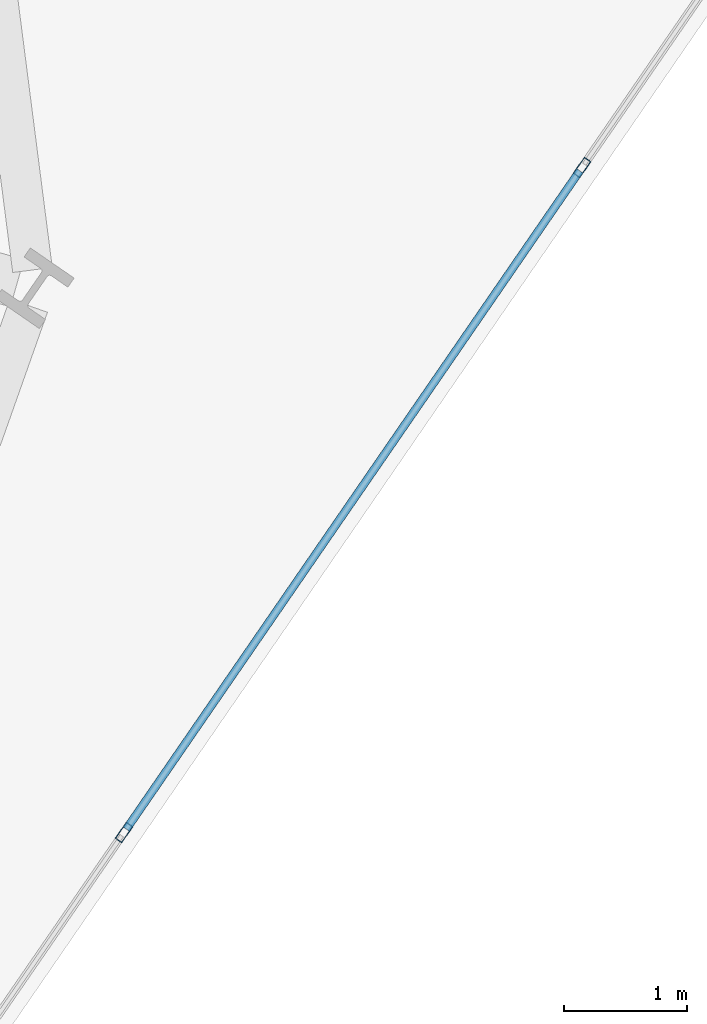
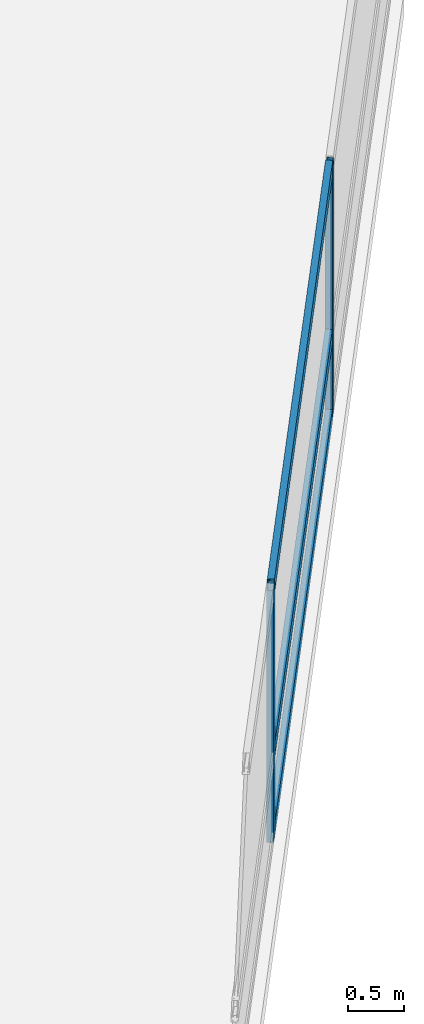
# One storey, part 9 of 25: 5 members, 1 element without a shape of its own.
"""IFC4 building model written with IfcOpenShell, lengths in metres."""

import ifcopenshell
import ifcopenshell.guid

model = None  # the IFC model being written
_history = None  # IfcOwnerHistory: only IFC2X3 demands one
_inside = {}  # id of a spatial element -> (the spatial element, [elements in it])
_under = {}  # id of a project, library or spatial element -> (it, [spatial elements below it])
_declared = {}  # id of a project -> (the project, [libraries it declares])
_typed = {}  # id of a type object -> (the type object, [elements of that type])
_made_of = {}  # id of a material, layer set ... -> (it, [elements and type objects made of it])


def new_model(schema):
    """Start an empty IFC model of exactly this schema.

    Asked for "IFC4X3", IfcOpenShell would pick the latest addendum, in which some entities
    have other attributes; the version numbers below select the first issue.
    IFC2X3 requires an IfcOwnerHistory on every rooted entity: one is made here for all.
    """
    global model, _history
    if schema == "IFC4X3":
        model = ifcopenshell.file(schema_version=(4, 3, 0, 0))
    else:
        model = ifcopenshell.file(schema=schema)
    _inside.clear()
    _under.clear()
    _declared.clear()
    _typed.clear()
    _made_of.clear()
    _history = None
    if model.schema == "IFC2X3":
        org = make("IfcOrganization", Name="unknown")
        user = make(
            "IfcPersonAndOrganization",
            ThePerson=make("IfcPerson", FamilyName="unknown"),
            TheOrganization=org,
        )
        app = make(
            "IfcApplication",
            ApplicationDeveloper=org,
            Version="unknown",
            ApplicationFullName="unknown",
            ApplicationIdentifier="unknown",
        )
        _history = make(
            "IfcOwnerHistory",
            OwningUser=user,
            OwningApplication=app,
            ChangeAction="ADDED",
            CreationDate=0,
        )
    return model


def make(cls, **values):
    """One entity of the class cls with the attributes given. An attribute that is None is left unset."""
    return model.create_entity(
        cls, **{name: value for name, value in values.items() if value is not None}
    )


def rooted(cls, **values):
    """An entity with a GlobalId (a new one), such as an element, a storey or a relation."""
    return make(cls, GlobalId=ifcopenshell.guid.new(), OwnerHistory=_history, **values)


def si_unit(unit_type, name, prefix=None):
    """IfcSIUnit, for example si_unit("LENGTHUNIT", "METRE", prefix="MILLI")."""
    return make("IfcSIUnit", UnitType=unit_type, Prefix=prefix, Name=name)


def assignment(units):
    """IfcUnitAssignment: the units of a project."""
    return None if units is None else make("IfcUnitAssignment", Units=units)


def point(xyz):
    """IfcCartesianPoint."""
    return None if xyz is None else make("IfcCartesianPoint", Coordinates=xyz)


def direction(xyz):
    """IfcDirection."""
    return None if xyz is None else make("IfcDirection", DirectionRatios=xyz)


def frame(location, z_axis=None, x_axis=None):
    """IfcAxis2Placement3D, a coordinate frame: its origin and axes. An axis left out is left unset."""
    return make(
        "IfcAxis2Placement3D",
        Location=point(location),
        Axis=direction(z_axis),
        RefDirection=direction(x_axis),
    )


def frame_2d(location, x_axis=None):
    """IfcAxis2Placement2D, a coordinate frame in the plane: its origin and x axis."""
    return make(
        "IfcAxis2Placement2D", Location=point(location), RefDirection=direction(x_axis)
    )


def origin():
    """The frame at (0, 0, 0) with its axes left unset."""
    return frame((0.0, 0.0, 0.0))


def origin_2d():
    """The frame at (0, 0) in the plane with its x axis left unset."""
    return frame_2d((0.0, 0.0))


def place(relative_to, where):
    """IfcLocalPlacement: puts the frame where relative to a parent placement (None: the world)."""
    return make(
        "IfcLocalPlacement", PlacementRelTo=relative_to, RelativePlacement=where
    )


def context(
    kind, dimensions, precision=None, world=None, true_north=None, identifier=None
):
    """IfcGeometricRepresentationContext, for example the 3D "Model" context."""
    return make(
        "IfcGeometricRepresentationContext",
        ContextIdentifier=identifier,
        ContextType=kind,
        CoordinateSpaceDimension=dimensions,
        Precision=precision,
        WorldCoordinateSystem=world,
        TrueNorth=true_north,
    )


def subcontext(parent, identifier, kind, view, scale=None):
    """IfcGeometricRepresentationSubContext, for example "Body" below "Model"."""
    return make(
        "IfcGeometricRepresentationSubContext",
        ContextIdentifier=identifier,
        ContextType=kind,
        ParentContext=parent,
        TargetScale=scale,
        TargetView=view,
    )


def project(units=None, contexts=None):
    """IfcProject with its units and contexts."""
    return rooted(
        "IfcProject",
        Name="project",
        RepresentationContexts=contexts,
        UnitsInContext=assignment(units),
    )


def spatial(cls, under=None, at=None, **own):
    """A site, building, storey or space (cls), placed at a placement, below another one or the project."""
    s = rooted(cls, ObjectPlacement=at, **own)
    if under is not None:
        _under.setdefault(under.id(), (under, []))[1].append(s)
    return s


def profile(cls, at=None, kind="AREA", **sizes):
    """A parametric profile (cls). Its sizes go by their IFC names, for example OverallWidth=200.0."""
    return make(cls, ProfileType=kind, Position=at, **sizes)


def hollow_rectangle(**sizes):
    """IfcRectangleHollowProfileDef."""
    return profile("IfcRectangleHollowProfileDef", **sizes)


def extrude(swept, where, along, depth):
    """IfcExtrudedAreaSolid: the profile swept, set in the frame where, extruded along a direction by depth."""
    return make(
        "IfcExtrudedAreaSolid",
        SweptArea=swept,
        Position=where,
        ExtrudedDirection=direction(along),
        Depth=depth,
    )


def shape(context_of_items, identifier, shape_type, items):
    """IfcShapeRepresentation: the items that make up one representation, for example the "Body"."""
    return make(
        "IfcShapeRepresentation",
        ContextOfItems=context_of_items,
        RepresentationIdentifier=identifier,
        RepresentationType=shape_type,
        Items=items,
    )


def material(Name=None, Category=None):
    """IfcMaterial."""
    return make("IfcMaterial", Name=Name, Category=Category)


def layer(
    of_material, thickness, ventilated=None, Name=None, Category=None, Priority=None
):
    """IfcMaterialLayer: one layer of a wall or slab, of a material (None: an air gap)."""
    return make(
        "IfcMaterialLayer",
        Material=of_material,
        LayerThickness=thickness,
        IsVentilated=ventilated,
        Name=Name,
        Category=Category,
        Priority=Priority,
    )


def layer_set(layers, Name=None):
    """IfcMaterialLayerSet."""
    return make("IfcMaterialLayerSet", MaterialLayers=layers, LayerSetName=Name)


def material_profile(
    of_material, cross_section, Name=None, Category=None, Priority=None
):
    """IfcMaterialProfile: a cross section and its material."""
    return make(
        "IfcMaterialProfile",
        Name=Name,
        Material=of_material,
        Profile=cross_section,
        Priority=Priority,
        Category=Category,
    )


def profile_set(profiles, Name=None, composite=None):
    """IfcMaterialProfileSet."""
    return make(
        "IfcMaterialProfileSet",
        Name=Name,
        MaterialProfiles=profiles,
        CompositeProfile=composite,
    )


def made_of(thing, what):
    """Note that an element or type object is made of a material, layer set ...; save() writes the relation."""
    if what is not None:
        _made_of.setdefault(what.id(), (what, []))[1].append(thing)
    return thing


def type_object(cls, material=None, **own):
    """A type object (cls), such as IfcWallType, which elements share."""
    return made_of(rooted(cls, **own), material)


def element(
    cls,
    number,
    at=None,
    inside=None,
    cuts=None,
    type_object=None,
    material=None,
    context=None,
    identifier="Body",
    shape_type=None,
    held_by="IfcProductDefinitionShape",
    body=None,
    shapes=None,
    **own,
):
    """One element of the class cls, such as IfcWall. Its Tag is "e" and its number.

    at: its placement. inside: the storey or other place that contains it. cuts: it is an
    opening in that element (IfcRelVoidsElement). A single representation is given by context,
    identifier, shape_type and body (its items); several are given by shapes. held_by: the class
    of the entity that holds the representations. save() writes the other relations.
    """
    e = rooted(cls, Tag="e%d" % number, ObjectPlacement=at, **own)
    if body is not None:
        shapes = [shape(context, identifier, shape_type, body)]
    if shapes is not None:
        e.Representation = make(held_by, Representations=shapes)
    if inside is not None:
        _inside.setdefault(inside.id(), (inside, []))[1].append(e)
    if cuts is not None:
        rooted(
            "IfcRelVoidsElement", RelatingBuildingElement=cuts, RelatedOpeningElement=e
        )
    if type_object is not None:
        _typed.setdefault(type_object.id(), (type_object, []))[1].append(e)
    return made_of(e, material)


def aggregate(whole, parts):
    """IfcRelAggregates: a whole, such as a stair, and the parts it consists of."""
    return rooted("IfcRelAggregates", RelatingObject=whole, RelatedObjects=parts)


def save(model, path):
    """Write the relations noted so far, then the file.

    IfcRelAggregates (storeys below a building ...), IfcRelContainedInSpatialStructure (elements
    in a storey), IfcRelDefinesByType, IfcRelAssociatesMaterial and IfcRelDeclares: one each for
    every whole, place, type object, material and project.
    """
    for whole, parts in _under.values():
        aggregate(whole, parts)
    for where, things in _inside.values():
        rooted(
            "IfcRelContainedInSpatialStructure",
            RelatedElements=things,
            RelatingStructure=where,
        )
    for kind, things in _typed.values():
        rooted("IfcRelDefinesByType", RelatedObjects=things, RelatingType=kind)
    for what, things in _made_of.values():
        rooted("IfcRelAssociatesMaterial", RelatedObjects=things, RelatingMaterial=what)
    for by, libraries in _declared.values():
        rooted("IfcRelDeclares", RelatingContext=by, RelatedDefinitions=libraries)
    model.write(path)


model = new_model("IFC4")

# Units and contexts
model_context = context("Model", 3, precision=1e-05, world=origin(), true_north=direction((0.0, 1.0)))
body_context = subcontext(model_context, "Body", "Model", "MODEL_VIEW")
ifc_project = project(units=[si_unit("LENGTHUNIT", "METRE"), si_unit("AREAUNIT", "SQUARE_METRE"), si_unit("VOLUMEUNIT", "CUBIC_METRE"), si_unit("PLANEANGLEUNIT", "RADIAN"), si_unit("MASSUNIT", "GRAM", prefix="KILO")], contexts=[model_context])

# Site, building, storey
site_placement = place(None, origin())
site = spatial("IfcSite", under=ifc_project, at=site_placement, CompositionType="ELEMENT")
building_placement = place(site_placement, origin())
building = spatial("IfcBuilding", under=site, at=building_placement, Name="Varnelok Gate Tower", CompositionType="ELEMENT")
storey_placement = place(building_placement, frame((0.0, 0.0, 56.60009765625)))
storey = spatial("IfcBuildingStorey", under=building, at=storey_placement, Name="L13", CompositionType="ELEMENT", Elevation=56.60009765625)

# Curtain wall, members
ifc_material = material(Name="Anodized Aluminum Alloy 6063-T6", Category="aluminium")
ifc_layer = layer(ifc_material, 0.179931640625)
ifc_layer_set = layer_set([ifc_layer], Name="Anodized Aluminum Alloy 6063-T6")
curtain_wall_type = type_object("IfcCurtainWallType", Name="CW3-HOTEL-VISION", PredefinedType="USERDEFINED", material=ifc_layer_set)
curtain_wall_placement = place(storey_placement, origin())
curtain_wall = element("IfcCurtainWall", 1, at=curtain_wall_placement, inside=storey, type_object=curtain_wall_type, Name="L13 East End Vision Curtain Wall", ObjectType="UNITISED CURTAIN WALL", PredefinedType="USERDEFINED")
ifc_material_profile_1 = material_profile(ifc_material, hollow_rectangle(XDim=0.06494140625, YDim=0.159912109375, WallThickness=0.00390625, at=origin_2d()), Name="ALU160X65X4")
ifc_profile_set_1 = profile_set([ifc_material_profile_1], Name="Anodized Aluminum Alloy 6063-T6")
member_type_1 = type_object("IfcMemberType", Name="CW-MULL-160", PredefinedType="MULLION", material=ifc_profile_set_1)
member_1_placement = place(storey_placement, frame((78.8173828125, 13.958251953125, 0.0), z_axis=(0.0, 0.0, 1.0), x_axis=(0.823532685111, -0.567268822124, 0.0)))
member_1 = element("IfcMember", 2, at=member_1_placement, type_object=member_type_1, Name="CW3 mullion 2", PredefinedType="MULLION", context=body_context, shape_type="SweptSolid", body=[
    extrude(hollow_rectangle(XDim=0.06494140625, YDim=0.159912109375, WallThickness=0.00390625, at=origin_2d()), origin(), (0.0, 0.0, 1.0), 2.72998046875),
])
member_2_placement = place(storey_placement, frame((75.09228515625, 8.55029296875, 0.0), z_axis=(0.0, 0.0, 1.0), x_axis=(0.823532685111, -0.567268822124, 0.0)))
member_2 = element("IfcMember", 3, at=member_2_placement, type_object=member_type_1, Name="CW3 mullion 3", PredefinedType="MULLION", context=body_context, shape_type="SweptSolid", body=[
    extrude(hollow_rectangle(XDim=0.06494140625, YDim=0.159912109375, WallThickness=0.00390625, at=origin_2d()), origin(), (0.0, 0.0, 1.0), 2.72998046875),
])
ifc_material_profile_2 = material_profile(ifc_material, hollow_rectangle(XDim=0.06494140625, YDim=0.159912109375, WallThickness=0.00390625, at=origin_2d()), Name="ALU160X65X4")
ifc_profile_set_2 = profile_set([ifc_material_profile_2], Name="Anodized Aluminum Alloy 6063-T6")
member_type_2 = type_object("IfcMemberType", Name="CW-TRAN-160", PredefinedType="USERDEFINED", material=ifc_profile_set_2)
member_3_placement = place(storey_placement, frame((78.798828125, 13.931396484375, 0.032470703125), z_axis=(-0.567279204469, -0.823525533409, 0.0), x_axis=(0.823525533409, -0.567279204469, 0.0)))
member_3 = element("IfcMember", 4, at=member_3_placement, type_object=member_type_2, Name="CW3 transom 2.1", ObjectType="TRANSOM", PredefinedType="USERDEFINED", context=body_context, shape_type="SweptSolid", body=[
    extrude(hollow_rectangle(XDim=0.06494140625, YDim=0.159912109375, WallThickness=0.00390625, at=origin_2d()), origin(), (0.0, 0.0, 1.0), 6.501708984375),
])
member_4_placement = place(storey_placement, frame((78.798828125, 13.931396484375, 0.89990234375), z_axis=(-0.567279204469, -0.823525533409, 0.0), x_axis=(0.823525533409, -0.567279204469, 0.0)))
member_4 = element("IfcMember", 5, at=member_4_placement, type_object=member_type_2, Name="CW3 transom 2.2", ObjectType="TRANSOM", PredefinedType="USERDEFINED", context=body_context, shape_type="SweptSolid", body=[
    extrude(hollow_rectangle(XDim=0.06494140625, YDim=0.159912109375, WallThickness=0.00390625, at=origin_2d()), origin(), (0.0, 0.0, 1.0), 6.501708984375),
])
member_5_placement = place(storey_placement, frame((78.798828125, 13.931396484375, 2.697509765625), z_axis=(-0.567279204469, -0.823525533409, 0.0), x_axis=(0.823525533409, -0.567279204469, 0.0)))
member_5 = element("IfcMember", 6, at=member_5_placement, type_object=member_type_2, Name="CW3 transom 2.3", ObjectType="TRANSOM", PredefinedType="USERDEFINED", context=body_context, shape_type="SweptSolid", body=[
    extrude(hollow_rectangle(XDim=0.06494140625, YDim=0.159912109375, WallThickness=0.00390625, at=origin_2d()), origin(), (0.0, 0.0, 1.0), 6.501708984375),
])
aggregate(curtain_wall, [member_1, member_2, member_3, member_4, member_5])

save(model, "model.ifc")
